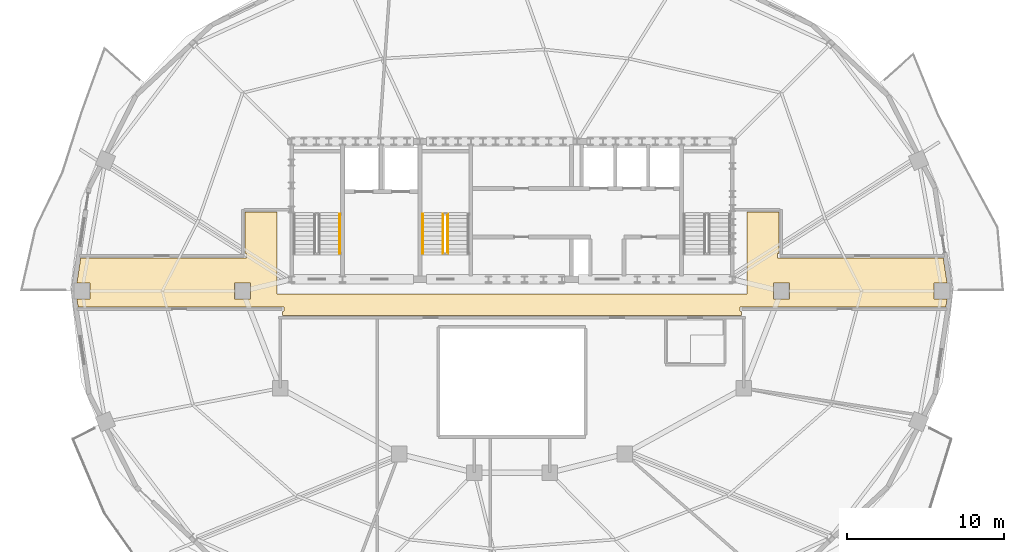
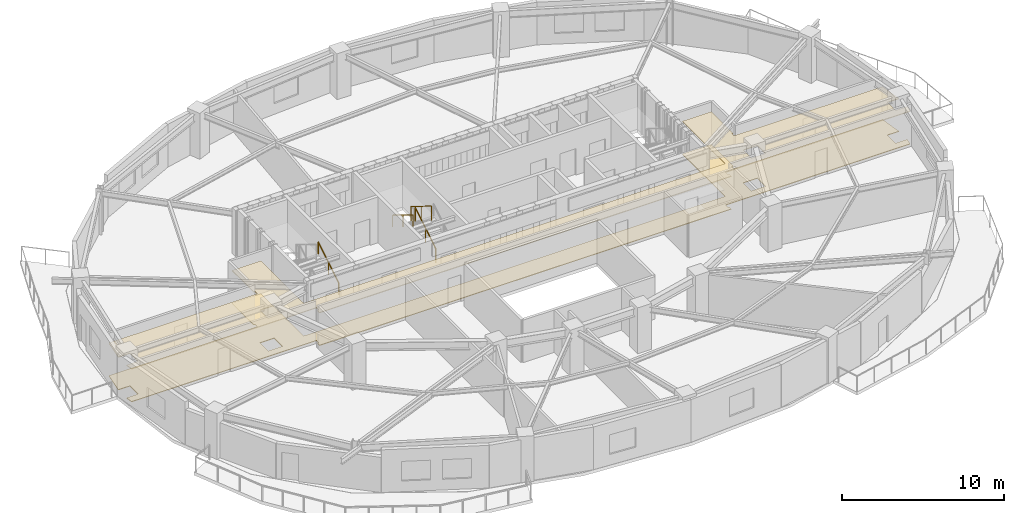
# One storey, part 9 of 11: 4 railings, 2 coverings.
"""IFC4 building model written with IfcOpenShell, lengths in metres."""

from ifc_helpers import new_model, si_unit, direction, frame, origin, origin_2d, place, context, subcontext, project, spatial, polyline, rectangle, outline, extrude, material, layer, layer_set, type_object, element, save


model = new_model("IFC4")

# Units and contexts
model_context = context("Model", 3, precision=1e-05, world=origin(), true_north=direction((0.0, 1.0)))
body_context = subcontext(model_context, "Body", "Model", "MODEL_VIEW")
ifc_project = project(units=[si_unit("LENGTHUNIT", "METRE"), si_unit("AREAUNIT", "SQUARE_METRE"), si_unit("VOLUMEUNIT", "CUBIC_METRE"), si_unit("PLANEANGLEUNIT", "RADIAN"), si_unit("MASSUNIT", "GRAM", prefix="KILO")], contexts=[model_context])

# Site, building, storey
site_placement = place(None, origin())
site = spatial("IfcSite", under=ifc_project, at=site_placement, CompositionType="ELEMENT")
building_placement = place(site_placement, origin())
building = spatial("IfcBuilding", under=site, at=building_placement, Name="Haldorwick Loom Tower", CompositionType="ELEMENT")
storey_placement = place(building_placement, frame((0.0, 0.0, 227.10009765625)))
storey = spatial("IfcBuildingStorey", under=building, at=storey_placement, Name="L61", CompositionType="ELEMENT", Elevation=227.10009765625)

# Coverings
ifc_material_1 = material(Name="Mineral Fibre Acoustic Ceiling Tile")
ifc_layer_1 = layer(ifc_material_1, 0.054931640625, Name="Mineral Fibre Acoustic Ceiling Tile")
ifc_layer_set_1 = layer_set([ifc_layer_1], Name="Mineral Fibre Acoustic Ceiling Tile")
covering_type_1 = type_object("IfcCoveringType", Name="ARC-COV-CEIL2", PredefinedType="CEILING", material=ifc_layer_set_1)
covering_1_placement = place(storey_placement, frame((0.0, 0.0, 2.458984375)))
element("IfcCovering", 1, at=covering_1_placement, inside=storey, type_object=covering_type_1, Name="L61 Acoustic Suspended Ceiling 1", PredefinedType="CEILING", context=body_context, shape_type="SweptSolid", body=[
    extrude(outline(polyline([(8.2939453125, 24.989990234375), (21.419921875, 24.989990234375), (21.422119140625, 24.989990234375), (21.423828125, 24.989501953125), (21.42578125, 24.989013671875), (21.427734375, 24.988525390625), (21.429443359375, 24.987548828125), (21.43115234375, 24.986572265625), (21.4326171875, 24.985595703125), (21.43408203125, 24.984130859375), (21.435546875, 24.982666015625), (21.4365234375, 24.981201171875), (21.4375, 24.9794921875), (21.4384765625, 24.977783203125), (21.439208984375, 24.975830078125), (21.439697265625, 24.973876953125), (21.43994140625, 24.971923828125), (21.43994140625, 24.969970703125), (21.43994140625, 24.72998046875), (21.43994140625, 24.72802734375), (21.439697265625, 24.72607421875), (21.439208984375, 24.72412109375), (21.4384765625, 24.722412109375), (21.4375, 24.720703125), (21.4365234375, 24.718994140625), (21.435546875, 24.71728515625), (21.43408203125, 24.7158203125), (21.4326171875, 24.714599609375), (21.43115234375, 24.71337890625), (21.429443359375, 24.71240234375), (21.427734375, 24.71142578125), (21.42578125, 24.7109375), (21.423828125, 24.71044921875), (21.422119140625, 24.710205078125), (21.419921875, 24.7099609375), (21.340087890625, 24.7099609375), (21.340087890625, 24.43994140625), (50.659912109375, 24.43994140625), (50.659912109375, 24.7099609375), (50.580078125, 24.7099609375), (50.577880859375, 24.710205078125), (50.576171875, 24.71044921875), (50.57421875, 24.7109375), (50.572265625, 24.71142578125), (50.570556640625, 24.71240234375), (50.56884765625, 24.71337890625), (50.5673828125, 24.714599609375), (50.56591796875, 24.7158203125), (50.564453125, 24.71728515625), (50.5634765625, 24.718994140625), (50.5625, 24.720703125), (50.5615234375, 24.722412109375), (50.560791015625, 24.72412109375), (50.560302734375, 24.72607421875), (50.56005859375, 24.72802734375), (50.56005859375, 24.72998046875), (50.56005859375, 24.969970703125), (50.56005859375, 24.971923828125), (50.560302734375, 24.973876953125), (50.560791015625, 24.975830078125), (50.5615234375, 24.977783203125), (50.5625, 24.9794921875), (50.5634765625, 24.981201171875), (50.564453125, 24.982666015625), (50.56591796875, 24.984130859375), (50.5673828125, 24.985595703125), (50.56884765625, 24.986572265625), (50.570556640625, 24.987548828125), (50.572265625, 24.988525390625), (50.57421875, 24.989013671875), (50.576171875, 24.989501953125), (50.577880859375, 24.989990234375), (50.580078125, 24.989990234375), (63.7060546875, 24.989990234375), (63.782470703125, 25.491943359375), (62.95849609375, 25.491943359375), (62.95849609375, 26.508056640625), (63.782470703125, 26.508056640625), (63.53857421875, 28.110107421875), (52.97998046875, 28.110107421875), (52.97802734375, 28.110107421875), (52.97607421875, 28.1103515625), (52.97412109375, 28.11083984375), (52.972412109375, 28.111572265625), (52.970703125, 28.1123046875), (52.968994140625, 28.11328125), (52.96728515625, 28.114501953125), (52.9658203125, 28.115966796875), (52.964599609375, 28.1171875), (52.96337890625, 28.118896484375), (52.96240234375, 28.12060546875), (52.96142578125, 28.122314453125), (52.9609375, 28.124267578125), (52.96044921875, 28.126220703125), (52.960205078125, 28.1279296875), (52.9599609375, 28.1298828125), (52.9599609375, 28.3701171875), (52.960205078125, 28.3720703125), (52.96044921875, 28.373779296875), (52.9609375, 28.375732421875), (52.96142578125, 28.377685546875), (52.96240234375, 28.37939453125), (52.96337890625, 28.381103515625), (52.964599609375, 28.3828125), (52.9658203125, 28.384033203125), (52.96728515625, 28.385498046875), (52.968994140625, 28.38671875), (52.970703125, 28.3876953125), (52.972412109375, 28.388427734375), (52.97412109375, 28.38916015625), (52.97607421875, 28.3896484375), (52.97802734375, 28.389892578125), (52.97998046875, 28.389892578125), (53.06005859375, 28.389892578125), (53.06005859375, 31.06005859375), (51.0, 31.06005859375), (51.0, 25.800048828125), (21.0, 25.800048828125), (21.0, 31.06005859375), (18.93994140625, 31.06005859375), (18.93994140625, 28.389892578125), (19.02001953125, 28.389892578125), (19.02197265625, 28.389892578125), (19.02392578125, 28.3896484375), (19.02587890625, 28.38916015625), (19.027587890625, 28.388427734375), (19.029296875, 28.3876953125), (19.031005859375, 28.38671875), (19.03271484375, 28.385498046875), (19.0341796875, 28.384033203125), (19.035400390625, 28.3828125), (19.03662109375, 28.381103515625), (19.03759765625, 28.37939453125), (19.03857421875, 28.377685546875), (19.0390625, 28.375732421875), (19.03955078125, 28.373779296875), (19.039794921875, 28.3720703125), (19.0400390625, 28.3701171875), (19.0400390625, 28.1298828125), (19.039794921875, 28.1279296875), (19.03955078125, 28.126220703125), (19.0390625, 28.124267578125), (19.03857421875, 28.122314453125), (19.03759765625, 28.12060546875), (19.03662109375, 28.118896484375), (19.035400390625, 28.1171875), (19.0341796875, 28.115966796875), (19.03271484375, 28.114501953125), (19.031005859375, 28.11328125), (19.029296875, 28.1123046875), (19.027587890625, 28.111572265625), (19.02587890625, 28.11083984375), (19.02392578125, 28.1103515625), (19.02197265625, 28.110107421875), (19.02001953125, 28.110107421875), (8.46142578125, 28.110107421875), (8.217529296875, 26.508056640625), (9.04150390625, 26.508056640625), (9.04150390625, 25.491943359375), (8.217529296875, 25.491943359375), (8.2939453125, 24.989990234375)]), holes=[polyline([(19.30810546875, 26.508056640625), (19.30810546875, 25.491943359375), (18.2919921875, 25.491943359375), (18.2919921875, 26.508056640625), (19.30810546875, 26.508056640625)]), polyline([(53.7080078125, 26.508056640625), (53.7080078125, 25.491943359375), (52.69189453125, 25.491943359375), (52.69189453125, 26.508056640625), (53.7080078125, 26.508056640625)])]), origin(), (0.0, 0.0, 1.0), 0.054931640625),
])
ifc_material_2 = material(Name="Polished Aggregate Terrazzo Finish")
ifc_layer_2 = layer(ifc_material_2, 0.044921875, Name="Polished Aggregate Terrazzo Finish")
ifc_layer_set_2 = layer_set([ifc_layer_2], Name="Polished Aggregate Terrazzo Finish")
covering_type_2 = type_object("IfcCoveringType", Name="ARC-COV-FLOOR2", PredefinedType="FLOORING", material=ifc_layer_set_2)
covering_2_placement = place(storey_placement, origin())
element("IfcCovering", 2, at=covering_2_placement, inside=storey, type_object=covering_type_2, Name="L61 Floor Finish 1", PredefinedType="FLOORING", context=body_context, shape_type="SweptSolid", body=[
    extrude(outline(polyline([(8.2939453125, 24.989990234375), (21.419921875, 24.989990234375), (21.422119140625, 24.989990234375), (21.423828125, 24.989501953125), (21.42578125, 24.989013671875), (21.427734375, 24.988525390625), (21.429443359375, 24.987548828125), (21.43115234375, 24.986572265625), (21.4326171875, 24.985595703125), (21.43408203125, 24.984130859375), (21.435546875, 24.982666015625), (21.4365234375, 24.981201171875), (21.4375, 24.9794921875), (21.4384765625, 24.977783203125), (21.439208984375, 24.975830078125), (21.439697265625, 24.973876953125), (21.43994140625, 24.971923828125), (21.43994140625, 24.969970703125), (21.43994140625, 24.72998046875), (21.43994140625, 24.72802734375), (21.439697265625, 24.72607421875), (21.439208984375, 24.72412109375), (21.4384765625, 24.722412109375), (21.4375, 24.720703125), (21.4365234375, 24.718994140625), (21.435546875, 24.71728515625), (21.43408203125, 24.7158203125), (21.4326171875, 24.714599609375), (21.43115234375, 24.71337890625), (21.429443359375, 24.71240234375), (21.427734375, 24.71142578125), (21.42578125, 24.7109375), (21.423828125, 24.71044921875), (21.422119140625, 24.710205078125), (21.419921875, 24.7099609375), (21.340087890625, 24.7099609375), (21.340087890625, 24.43994140625), (50.659912109375, 24.43994140625), (50.659912109375, 24.7099609375), (50.580078125, 24.7099609375), (50.577880859375, 24.710205078125), (50.576171875, 24.71044921875), (50.57421875, 24.7109375), (50.572265625, 24.71142578125), (50.570556640625, 24.71240234375), (50.56884765625, 24.71337890625), (50.5673828125, 24.714599609375), (50.56591796875, 24.7158203125), (50.564453125, 24.71728515625), (50.5634765625, 24.718994140625), (50.5625, 24.720703125), (50.5615234375, 24.722412109375), (50.560791015625, 24.72412109375), (50.560302734375, 24.72607421875), (50.56005859375, 24.72802734375), (50.56005859375, 24.72998046875), (50.56005859375, 24.969970703125), (50.56005859375, 24.971923828125), (50.560302734375, 24.973876953125), (50.560791015625, 24.975830078125), (50.5615234375, 24.977783203125), (50.5625, 24.9794921875), (50.5634765625, 24.981201171875), (50.564453125, 24.982666015625), (50.56591796875, 24.984130859375), (50.5673828125, 24.985595703125), (50.56884765625, 24.986572265625), (50.570556640625, 24.987548828125), (50.572265625, 24.988525390625), (50.57421875, 24.989013671875), (50.576171875, 24.989501953125), (50.577880859375, 24.989990234375), (50.580078125, 24.989990234375), (63.7060546875, 24.989990234375), (63.782470703125, 25.491943359375), (62.95849609375, 25.491943359375), (62.95849609375, 26.508056640625), (63.782470703125, 26.508056640625), (63.53857421875, 28.110107421875), (52.97998046875, 28.110107421875), (52.97802734375, 28.110107421875), (52.97607421875, 28.1103515625), (52.97412109375, 28.11083984375), (52.972412109375, 28.111572265625), (52.970703125, 28.1123046875), (52.968994140625, 28.11328125), (52.96728515625, 28.114501953125), (52.9658203125, 28.115966796875), (52.964599609375, 28.1171875), (52.96337890625, 28.118896484375), (52.96240234375, 28.12060546875), (52.96142578125, 28.122314453125), (52.9609375, 28.124267578125), (52.96044921875, 28.126220703125), (52.960205078125, 28.1279296875), (52.9599609375, 28.1298828125), (52.9599609375, 28.3701171875), (52.960205078125, 28.3720703125), (52.96044921875, 28.373779296875), (52.9609375, 28.375732421875), (52.96142578125, 28.377685546875), (52.96240234375, 28.37939453125), (52.96337890625, 28.381103515625), (52.964599609375, 28.3828125), (52.9658203125, 28.384033203125), (52.96728515625, 28.385498046875), (52.968994140625, 28.38671875), (52.970703125, 28.3876953125), (52.972412109375, 28.388427734375), (52.97412109375, 28.38916015625), (52.97607421875, 28.3896484375), (52.97802734375, 28.389892578125), (52.97998046875, 28.389892578125), (53.06005859375, 28.389892578125), (53.06005859375, 31.06005859375), (51.0, 31.06005859375), (51.0, 25.800048828125), (21.0, 25.800048828125), (21.0, 31.06005859375), (18.93994140625, 31.06005859375), (18.93994140625, 28.389892578125), (19.02001953125, 28.389892578125), (19.02197265625, 28.389892578125), (19.02392578125, 28.3896484375), (19.02587890625, 28.38916015625), (19.027587890625, 28.388427734375), (19.029296875, 28.3876953125), (19.031005859375, 28.38671875), (19.03271484375, 28.385498046875), (19.0341796875, 28.384033203125), (19.035400390625, 28.3828125), (19.03662109375, 28.381103515625), (19.03759765625, 28.37939453125), (19.03857421875, 28.377685546875), (19.0390625, 28.375732421875), (19.03955078125, 28.373779296875), (19.039794921875, 28.3720703125), (19.0400390625, 28.3701171875), (19.0400390625, 28.1298828125), (19.039794921875, 28.1279296875), (19.03955078125, 28.126220703125), (19.0390625, 28.124267578125), (19.03857421875, 28.122314453125), (19.03759765625, 28.12060546875), (19.03662109375, 28.118896484375), (19.035400390625, 28.1171875), (19.0341796875, 28.115966796875), (19.03271484375, 28.114501953125), (19.031005859375, 28.11328125), (19.029296875, 28.1123046875), (19.027587890625, 28.111572265625), (19.02587890625, 28.11083984375), (19.02392578125, 28.1103515625), (19.02197265625, 28.110107421875), (19.02001953125, 28.110107421875), (8.46142578125, 28.110107421875), (8.217529296875, 26.508056640625), (9.04150390625, 26.508056640625), (9.04150390625, 25.491943359375), (8.217529296875, 25.491943359375), (8.2939453125, 24.989990234375)]), holes=[polyline([(19.30810546875, 26.508056640625), (19.30810546875, 25.491943359375), (18.2919921875, 25.491943359375), (18.2919921875, 26.508056640625), (19.30810546875, 26.508056640625)]), polyline([(53.7080078125, 26.508056640625), (53.7080078125, 25.491943359375), (52.69189453125, 25.491943359375), (52.69189453125, 26.508056640625), (53.7080078125, 26.508056640625)])]), origin(), (0.0, 0.0, 1.0), 0.044921875),
])

# Railings
ifc_material_3 = material(Name="Steel CSA G40.21 350W", Category="steel")
railing_type_1 = type_object("IfcRailingType", Name="ARC-RLG-GUARD112", PredefinedType="GUARDRAIL", material=ifc_material_3)
railing_1_placement = place(storey_placement, frame((31.89990234375, 28.39990234375, 0.17236328125)))
element("IfcRailing", 3, at=railing_1_placement, inside=storey, type_object=railing_type_1, Name="L61 ST-03 stair guard 1", PredefinedType="GUARDRAIL", context=body_context, shape_type="SweptSolid", body=[
    extrude(rectangle(XDim=0.048095703125, YDim=0.048095703125, at=origin_2d()), frame((0.0, 0.0, 1.076171875), z_axis=(0.0, 0.851400495292, 0.524516154772), x_axis=(-1.0, 0.0, 0.0)), (0.0, 0.0, 1.0), 2.9599609375),
    extrude(rectangle(XDim=0.0419921875, YDim=0.0419921875, at=origin_2d()), origin(), (0.0, 0.0, 1.0), 1.052001953125),
    extrude(rectangle(XDim=0.0419921875, YDim=0.0419921875, at=origin_2d()), frame((0.0, 1.260009765625, 0.7763671875)), (0.0, 0.0, 1.0), 1.052001953125),
    extrude(rectangle(XDim=0.0419921875, YDim=0.0419921875, at=origin_2d()), frame((0.0, 2.52001953125, 1.552490234375)), (0.0, 0.0, 1.0), 1.052001953125),
])
railing_2_placement = place(storey_placement, frame((31.60009765625, 30.919921875, 1.8974609375)))
element("IfcRailing", 4, at=railing_2_placement, inside=storey, type_object=railing_type_1, Name="L61 ST-03 stair guard 3", PredefinedType="GUARDRAIL", context=body_context, shape_type="SweptSolid", body=[
    extrude(rectangle(XDim=0.048095703125, YDim=0.048095703125, at=origin_2d()), frame((0.0, 0.0, 1.076171875), z_axis=(0.0, -0.851400495292, 0.524516154772), x_axis=(1.0, 0.0, 0.0)), (0.0, 0.0, 1.0), 2.9599609375),
    extrude(rectangle(XDim=0.0419921875, YDim=0.0419921875, at=origin_2d()), origin(), (0.0, 0.0, 1.0), 1.052001953125),
    extrude(rectangle(XDim=0.0419921875, YDim=0.0419921875, at=origin_2d()), frame((0.0, -1.260009765625, 0.7763671875)), (0.0, 0.0, 1.0), 1.052001953125),
    extrude(rectangle(XDim=0.0419921875, YDim=0.0419921875, at=origin_2d()), frame((0.0, -2.52001953125, 1.552490234375)), (0.0, 0.0, 1.0), 1.052001953125),
])
railing_type_2 = type_object("IfcRailingType", Name="ARC-RLG-HAND092", PredefinedType="HANDRAIL", material=ifc_material_3)
railing_3_placement = place(storey_placement, frame((25.0, 28.39990234375, 0.17236328125)))
element("IfcRailing", 5, at=railing_3_placement, inside=storey, type_object=railing_type_2, Name="L61 ST-01 stair handrail 1", PredefinedType="HANDRAIL", context=body_context, shape_type="SweptSolid", body=[
    extrude(rectangle(XDim=0.048095703125, YDim=0.048095703125, at=origin_2d()), frame((0.0, 0.0, 0.8759765625), z_axis=(0.0, 0.851400495292, 0.524516154772), x_axis=(-1.0, 0.0, 0.0)), (0.0, 0.0, 1.0), 2.9599609375),
    extrude(rectangle(XDim=0.0419921875, YDim=0.0419921875, at=origin_2d()), origin(), (0.0, 0.0, 1.0), 0.851806640625),
    extrude(rectangle(XDim=0.0419921875, YDim=0.0419921875, at=origin_2d()), frame((0.0, 1.260009765625, 0.7763671875)), (0.0, 0.0, 1.0), 0.851806640625),
    extrude(rectangle(XDim=0.0419921875, YDim=0.0419921875, at=origin_2d()), frame((0.0, 2.52001953125, 1.552490234375)), (0.0, 0.0, 1.0), 0.851806640625),
])
railing_4_placement = place(storey_placement, frame((30.300048828125, 30.919921875, 1.8974609375)))
element("IfcRailing", 6, at=railing_4_placement, inside=storey, type_object=railing_type_2, Name="L61 ST-03 stair handrail 2", PredefinedType="HANDRAIL", context=body_context, shape_type="SweptSolid", body=[
    extrude(rectangle(XDim=0.048095703125, YDim=0.048095703125, at=origin_2d()), frame((0.0, 0.0, 0.8759765625), z_axis=(0.0, -0.851400495292, 0.524516154772), x_axis=(1.0, 0.0, 0.0)), (0.0, 0.0, 1.0), 2.9599609375),
    extrude(rectangle(XDim=0.0419921875, YDim=0.0419921875, at=origin_2d()), origin(), (0.0, 0.0, 1.0), 0.851806640625),
    extrude(rectangle(XDim=0.0419921875, YDim=0.0419921875, at=origin_2d()), frame((0.0, -1.260009765625, 0.7763671875)), (0.0, 0.0, 1.0), 0.851806640625),
    extrude(rectangle(XDim=0.0419921875, YDim=0.0419921875, at=origin_2d()), frame((0.0, -2.52001953125, 1.552490234375)), (0.0, 0.0, 1.0), 0.851806640625),
])

save(model, "model.ifc")
